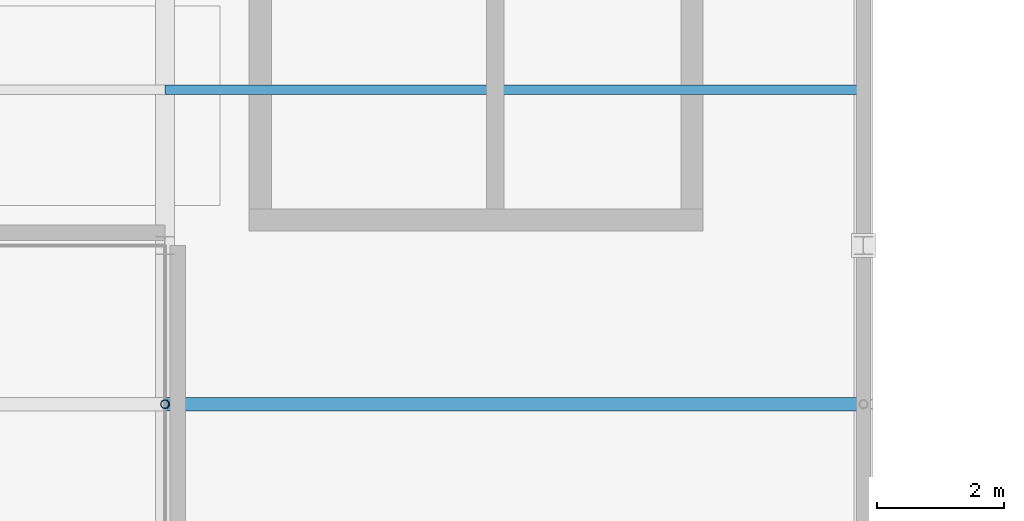
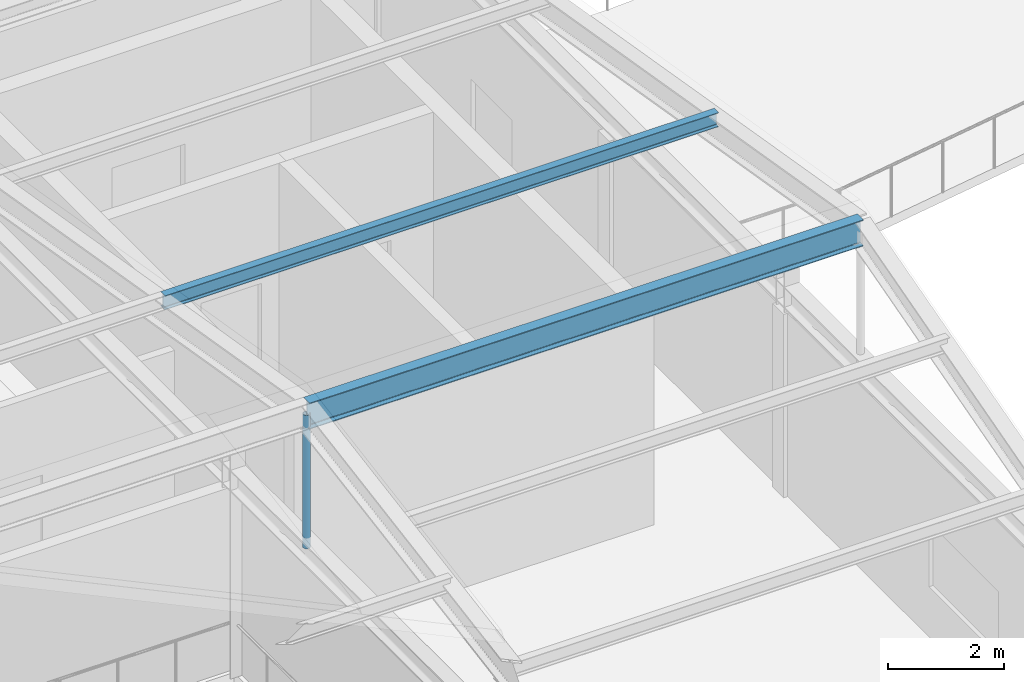
# One storey, part 23 of 108: 2 members, 1 beam.
"""IFC4 building model written with IfcOpenShell, lengths in metres."""

from ifc_helpers import new_model, si_unit, direction, frame, origin, origin_2d, place, context, subcontext, project, spatial, hollow_circle, i_section, extrude, material, material_profile, profile_set, type_object, element, save


model = new_model("IFC4")

# Units and contexts
model_context = context("Model", 3, precision=1e-05, world=origin(), true_north=direction((0.0, 1.0)))
body_context = subcontext(model_context, "Body", "Model", "MODEL_VIEW")
ifc_project = project(units=[si_unit("LENGTHUNIT", "METRE"), si_unit("AREAUNIT", "SQUARE_METRE"), si_unit("VOLUMEUNIT", "CUBIC_METRE"), si_unit("PLANEANGLEUNIT", "RADIAN"), si_unit("MASSUNIT", "GRAM", prefix="KILO")], contexts=[model_context])

# Site, building, storey
site_placement = place(None, origin())
site = spatial("IfcSite", under=ifc_project, at=site_placement, CompositionType="ELEMENT")
building_placement = place(site_placement, origin())
building = spatial("IfcBuilding", under=site, at=building_placement, Name="Tarnveldt Headland Concert Hall", CompositionType="ELEMENT")
storey_placement = place(building_placement, frame((0.0, 0.0, 9.60009765625)))
storey = spatial("IfcBuildingStorey", under=building, at=storey_placement, Name="L02", CompositionType="ELEMENT", Elevation=9.60009765625)

# Member
ifc_material = material(Name="Steel S355", Category="steel")
ifc_material_profile_1 = material_profile(ifc_material, i_section(OverallWidth=0.14990234375, OverallDepth=0.300048828125, WebThickness=0.007080078125, FlangeThickness=0.0107421875, FilletRadius=0.014892578125, at=origin_2d()), Name="IPE300", Category="steel")
ifc_profile_set_1 = profile_set([ifc_material_profile_1], Name="Steel S355")
member_type_1 = type_object("IfcMemberType", Name="PR-IPE300", PredefinedType="PURLIN", material=ifc_profile_set_1)
member_1_placement = place(storey_placement, frame((33.5, 26.449951171875, 6.31982421875), z_axis=(1.0, 0.0, 0.0), x_axis=(0.0, 1.0, 0.0)))
element("IfcMember", 1, at=member_1_placement, inside=storey, type_object=member_type_1, Name="Chamber roof purlin 4N-70", PredefinedType="PURLIN", context=body_context, shape_type="SweptSolid", body=[
    extrude(i_section(OverallWidth=0.14990234375, OverallDepth=0.300048828125, WebThickness=0.007080078125, FlangeThickness=0.0107421875, FilletRadius=0.014892578125, at=origin_2d()), origin(), (0.0, 0.0, 1.0), 11.0),
])

# Beam
ifc_material_profile_2 = material_profile(ifc_material, i_section(OverallWidth=0.2099609375, OverallDepth=0.550048828125, WebThickness=0.010986328125, FlangeThickness=0.01708984375, FilletRadius=0.02392578125, at=origin_2d()), Name="IPE550", Category="steel")
ifc_profile_set_2 = profile_set([ifc_material_profile_2], Name="Steel S355")
beam_type = type_object("IfcBeamType", Name="SB-IPE550", PredefinedType="BEAM", material=ifc_profile_set_2)
beam_placement = place(storey_placement, frame((33.5, 21.5, 6.9599609375), z_axis=(1.0, 0.0, 0.0), x_axis=(0.0, 1.0, 0.0)))
element("IfcBeam", 2, at=beam_placement, inside=storey, type_object=beam_type, Name="Chamber roof ridge beam 4", PredefinedType="BEAM", context=body_context, shape_type="SweptSolid", body=[
    extrude(i_section(OverallWidth=0.2099609375, OverallDepth=0.550048828125, WebThickness=0.010986328125, FlangeThickness=0.01708984375, FilletRadius=0.02392578125, at=origin_2d()), origin(), (0.0, 0.0, 1.0), 11.0),
])

# Member
ifc_material_profile_3 = material_profile(ifc_material, hollow_circle(Radius=0.06982421875, WallThickness=0.010009765625, at=origin_2d()), Name="CHS 139.7x10", Category="steel")
ifc_profile_set_3 = profile_set([ifc_material_profile_3], Name="Steel S355")
member_type_2 = type_object("IfcMemberType", Name="TR-WEB140", PredefinedType="BRACE", material=ifc_profile_set_3)
member_2_placement = place(storey_placement, frame((33.5, 21.5, 4.159912109375), z_axis=(0.0, 0.0, 1.0), x_axis=(1.0, 0.0, 0.0)))
element("IfcMember", 3, at=member_2_placement, inside=storey, type_object=member_type_2, Name="KP-01 Roof truss kingpost strut 33", PredefinedType="BRACE", context=body_context, shape_type="SweptSolid", body=[
    extrude(hollow_circle(Radius=0.06982421875, WallThickness=0.010009765625, at=origin_2d()), origin(), (0.0, 0.0, 1.0), 2.800048828125),
])

save(model, "model.ifc")
